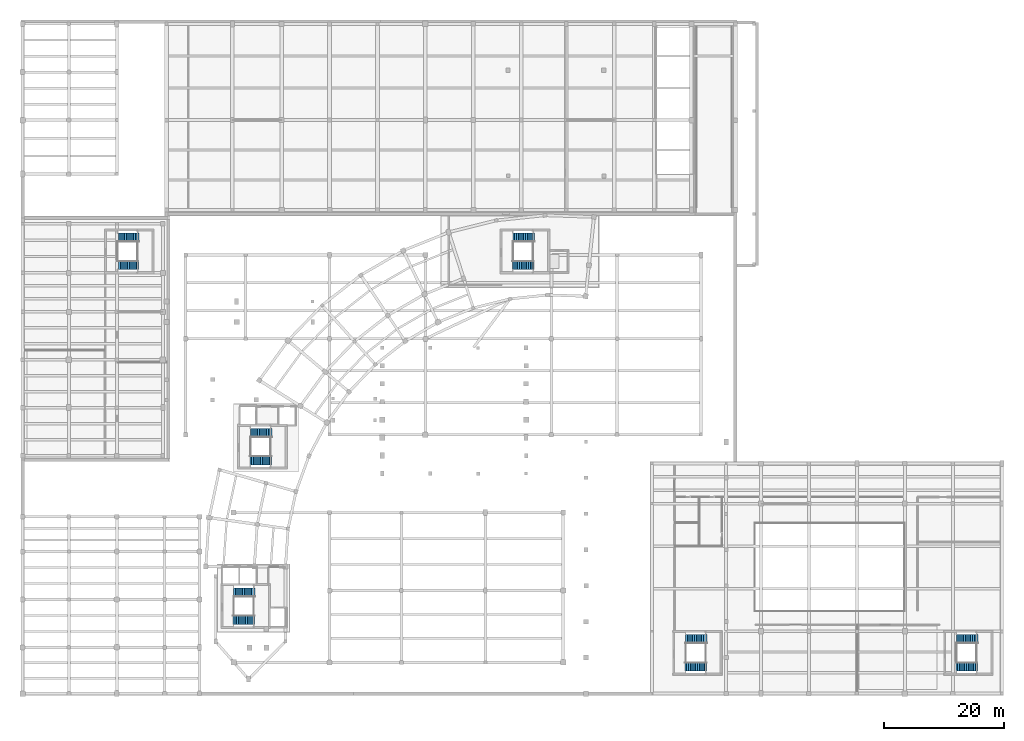
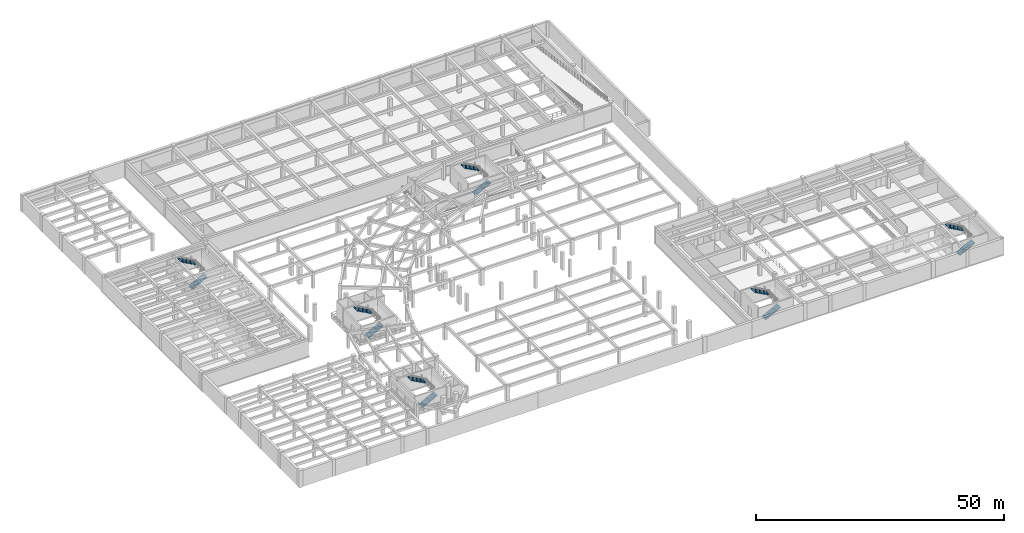
# One storey, part 28 of 35: 12 stair flights, 6 elements without a shape of their own.
"""IFC4 building model written with IfcOpenShell, lengths in metres."""

from ifc_helpers import new_model, si_unit, direction, frame, origin, place, context, subcontext, project, spatial, polyline, outline, extrude, material, type_object, element, aggregate, save


model = new_model("IFC4")

# Units and contexts
model_context = context("Model", 3, precision=1e-05, world=origin(), true_north=direction((0.0, 1.0)))
body_context = subcontext(model_context, "Body", "Model", "MODEL_VIEW")
ifc_project = project(units=[si_unit("LENGTHUNIT", "METRE"), si_unit("AREAUNIT", "SQUARE_METRE"), si_unit("VOLUMEUNIT", "CUBIC_METRE"), si_unit("PLANEANGLEUNIT", "RADIAN"), si_unit("MASSUNIT", "GRAM", prefix="KILO"), si_unit("THERMODYNAMICTEMPERATUREUNIT", "KELVIN"), si_unit("POWERUNIT", "WATT")], contexts=[model_context])

# Site, building, storey
site_placement = place(None, origin())
site = spatial("IfcSite", under=ifc_project, at=site_placement, CompositionType="ELEMENT")
building_placement = place(site_placement, origin())
building = spatial("IfcBuilding", under=site, at=building_placement, Name="Solvatero Civic Police Headquarters", CompositionType="ELEMENT")
storey_placement = place(building_placement, frame((0.0, 0.0, -4.199951171875)))
storey = spatial("IfcBuildingStorey", under=building, at=storey_placement, Name="B01", CompositionType="ELEMENT", Elevation=-4.199951171875)

# Stair, stair flights
ifc_material = material(Name="Precast concrete C40/50", Category="concrete")
stair_type_1 = type_object("IfcStairType", Name="STR-C145-420", PredefinedType="HALF_TURN_STAIR", material=ifc_material)
stair_1_placement = place(storey_placement, origin())
stair_1 = element("IfcStair", 1, at=stair_1_placement, inside=storey, type_object=stair_type_1, Name="Protected Exit Stair ST-C3 (B01 to L00)", PredefinedType="HALF_TURN_STAIR")
stair_flight_type_1 = type_object("IfcStairFlightType", Name="SFL-STR-C145-420", PredefinedType="STRAIGHT", material=ifc_material)
stair_flight_1_placement = place(storey_placement, frame((86.5, 76.27490234375, 0.0), z_axis=(0.0, 0.0, 1.0), x_axis=(1.0, 0.0, 0.0)))
stair_flight_1 = element("IfcStairFlight", 2, at=stair_flight_1_placement, type_object=stair_flight_type_1, Name="ST-C3 B01 Flight 1", NumberOfRisers=13, NumberOfTreads=12, PredefinedType="STRAIGHT", RiserHeight=0.161538, TreadLength=0.3, context=body_context, shape_type="SweptSolid", body=[
    extrude(outline(polyline([(0.0, 0.0), (0.0, 0.16162109375), (0.300048828125, 0.16162109375), (0.300048828125, 0.322998046875), (0.60009765625, 0.322998046875), (0.60009765625, 0.484619140625), (0.89990234375, 0.484619140625), (0.89990234375, 0.646240234375), (1.199951171875, 0.646240234375), (1.199951171875, 0.8076171875), (1.5, 0.8076171875), (1.5, 0.96923828125), (1.800048828125, 0.96923828125), (1.800048828125, 1.130859375), (2.10009765625, 1.130859375), (2.10009765625, 1.292236328125), (2.39990234375, 1.292236328125), (2.39990234375, 1.453857421875), (2.699951171875, 1.453857421875), (2.699951171875, 1.615478515625), (3.0, 1.615478515625), (3.0, 1.77685546875), (3.300048828125, 1.77685546875), (3.300048828125, 1.9384765625), (3.60009765625, 1.9384765625), (3.60009765625, 2.10009765625), (3.60009765625, 1.7568359375), (0.33740234375, 0.0), (0.0, 0.0)])), frame((0.0, 0.72509765625, 0.0), z_axis=(0.0, -1.0, 0.0), x_axis=(1.0, 0.0, 0.0)), (0.0, 0.0, 1.0), 1.449951171875),
])
stair_flight_2_placement = place(storey_placement, frame((90.199951171875, 80.925048828125, 2.099853515625), z_axis=(0.0, 0.0, 1.0), x_axis=(-1.0, 0.0, 0.0)))
stair_flight_2 = element("IfcStairFlight", 3, at=stair_flight_2_placement, type_object=stair_flight_type_1, Name="ST-C3 B01 Flight 2", NumberOfRisers=13, NumberOfTreads=12, PredefinedType="STRAIGHT", RiserHeight=0.161538, TreadLength=0.3, context=body_context, shape_type="SweptSolid", body=[
    extrude(outline(polyline([(0.0, 0.0), (0.0, 0.16162109375), (0.300048828125, 0.16162109375), (0.300048828125, 0.322998046875), (0.60009765625, 0.322998046875), (0.60009765625, 0.484619140625), (0.89990234375, 0.484619140625), (0.89990234375, 0.646240234375), (1.199951171875, 0.646240234375), (1.199951171875, 0.8076171875), (1.5, 0.8076171875), (1.5, 0.96923828125), (1.800048828125, 0.96923828125), (1.800048828125, 1.130859375), (2.10009765625, 1.130859375), (2.10009765625, 1.292236328125), (2.39990234375, 1.292236328125), (2.39990234375, 1.453857421875), (2.699951171875, 1.453857421875), (2.699951171875, 1.615478515625), (3.0, 1.615478515625), (3.0, 1.77685546875), (3.300048828125, 1.77685546875), (3.300048828125, 1.9384765625), (3.60009765625, 1.9384765625), (3.60009765625, 2.10009765625), (3.60009765625, 1.7568359375), (0.33740234375, 0.0), (0.0, 0.0)])), frame((0.0, 0.72509765625, 0.0), z_axis=(0.0, -1.0, 0.0), x_axis=(1.0, 0.0, 0.0)), (0.0, 0.0, 1.0), 1.449951171875),
])
aggregate(stair_1, [stair_flight_1, stair_flight_2])

stair_2_placement = place(storey_placement, origin())
stair_2 = element("IfcStair", 4, at=stair_2_placement, inside=storey, type_object=stair_type_1, Name="Protected Exit Stair ST-C4 (B01 to L00)", PredefinedType="HALF_TURN_STAIR")
stair_flight_3_placement = place(storey_placement, frame((20.5, 76.27490234375, 0.0), z_axis=(0.0, 0.0, 1.0), x_axis=(1.0, 0.0, 0.0)))
stair_flight_3 = element("IfcStairFlight", 5, at=stair_flight_3_placement, type_object=stair_flight_type_1, Name="ST-C4 B01 Flight 1", NumberOfRisers=13, NumberOfTreads=12, PredefinedType="STRAIGHT", RiserHeight=0.161538, TreadLength=0.3, context=body_context, shape_type="SweptSolid", body=[
    extrude(outline(polyline([(0.0, 0.0), (0.0, 0.16162109375), (0.300048828125, 0.16162109375), (0.300048828125, 0.322998046875), (0.60009765625, 0.322998046875), (0.60009765625, 0.484619140625), (0.89990234375, 0.484619140625), (0.89990234375, 0.646240234375), (1.199951171875, 0.646240234375), (1.199951171875, 0.8076171875), (1.5, 0.8076171875), (1.5, 0.96923828125), (1.800048828125, 0.96923828125), (1.800048828125, 1.130859375), (2.10009765625, 1.130859375), (2.10009765625, 1.292236328125), (2.39990234375, 1.292236328125), (2.39990234375, 1.453857421875), (2.699951171875, 1.453857421875), (2.699951171875, 1.615478515625), (3.0, 1.615478515625), (3.0, 1.77685546875), (3.300048828125, 1.77685546875), (3.300048828125, 1.9384765625), (3.60009765625, 1.9384765625), (3.60009765625, 2.10009765625), (3.60009765625, 1.7568359375), (0.33740234375, 0.0), (0.0, 0.0)])), frame((0.0, 0.72509765625, 0.0), z_axis=(0.0, -1.0, 0.0), x_axis=(1.0, 0.0, 0.0)), (0.0, 0.0, 1.0), 1.449951171875),
])
stair_flight_4_placement = place(storey_placement, frame((24.199951171875, 80.925048828125, 2.099853515625), z_axis=(0.0, 0.0, 1.0), x_axis=(-1.0, 0.0, 0.0)))
stair_flight_4 = element("IfcStairFlight", 6, at=stair_flight_4_placement, type_object=stair_flight_type_1, Name="ST-C4 B01 Flight 2", NumberOfRisers=13, NumberOfTreads=12, PredefinedType="STRAIGHT", RiserHeight=0.161538, TreadLength=0.3, context=body_context, shape_type="SweptSolid", body=[
    extrude(outline(polyline([(0.0, 0.0), (0.0, 0.16162109375), (0.300048828125, 0.16162109375), (0.300048828125, 0.322998046875), (0.60009765625, 0.322998046875), (0.60009765625, 0.484619140625), (0.89990234375, 0.484619140625), (0.89990234375, 0.646240234375), (1.199951171875, 0.646240234375), (1.199951171875, 0.8076171875), (1.5, 0.8076171875), (1.5, 0.96923828125), (1.800048828125, 0.96923828125), (1.800048828125, 1.130859375), (2.10009765625, 1.130859375), (2.10009765625, 1.292236328125), (2.39990234375, 1.292236328125), (2.39990234375, 1.453857421875), (2.699951171875, 1.453857421875), (2.699951171875, 1.615478515625), (3.0, 1.615478515625), (3.0, 1.77685546875), (3.300048828125, 1.77685546875), (3.300048828125, 1.9384765625), (3.60009765625, 1.9384765625), (3.60009765625, 2.10009765625), (3.60009765625, 1.7568359375), (0.33740234375, 0.0), (0.0, 0.0)])), frame((0.0, 0.72509765625, 0.0), z_axis=(0.0, -1.0, 0.0), x_axis=(1.0, 0.0, 0.0)), (0.0, 0.0, 1.0), 1.449951171875),
])
aggregate(stair_2, [stair_flight_3, stair_flight_4])

stair_3_placement = place(storey_placement, origin())
stair_3 = element("IfcStair", 7, at=stair_3_placement, inside=storey, type_object=stair_type_1, Name="Protected Exit Stair ST-C5 (B01 to L00)", PredefinedType="HALF_TURN_STAIR")
stair_flight_5_placement = place(storey_placement, frame((115.300048828125, 9.27490234375, 0.0), z_axis=(0.0, 0.0, 1.0), x_axis=(1.0, 0.0, 0.0)))
stair_flight_5 = element("IfcStairFlight", 8, at=stair_flight_5_placement, type_object=stair_flight_type_1, Name="ST-C5 B01 Flight 1", NumberOfRisers=13, NumberOfTreads=12, PredefinedType="STRAIGHT", RiserHeight=0.161538, TreadLength=0.3, context=body_context, shape_type="SweptSolid", body=[
    extrude(outline(polyline([(0.0, 0.0), (0.0, 0.16162109375), (0.300048828125, 0.16162109375), (0.300048828125, 0.322998046875), (0.60009765625, 0.322998046875), (0.60009765625, 0.484619140625), (0.89990234375, 0.484619140625), (0.89990234375, 0.646240234375), (1.199951171875, 0.646240234375), (1.199951171875, 0.8076171875), (1.5, 0.8076171875), (1.5, 0.96923828125), (1.800048828125, 0.96923828125), (1.800048828125, 1.130859375), (2.10009765625, 1.130859375), (2.10009765625, 1.292236328125), (2.39990234375, 1.292236328125), (2.39990234375, 1.453857421875), (2.699951171875, 1.453857421875), (2.699951171875, 1.615478515625), (3.0, 1.615478515625), (3.0, 1.77685546875), (3.300048828125, 1.77685546875), (3.300048828125, 1.9384765625), (3.60009765625, 1.9384765625), (3.60009765625, 2.10009765625), (3.60009765625, 1.7568359375), (0.33740234375, 0.0), (0.0, 0.0)])), frame((0.0, 0.72509765625, 0.0), z_axis=(0.0, -1.0, 0.0), x_axis=(1.0, 0.0, 0.0)), (0.0, 0.0, 1.0), 1.449951171875),
])
stair_flight_6_placement = place(storey_placement, frame((119.0, 13.925048828125, 2.099853515625), z_axis=(0.0, 0.0, 1.0), x_axis=(-1.0, 0.0, 0.0)))
stair_flight_6 = element("IfcStairFlight", 9, at=stair_flight_6_placement, type_object=stair_flight_type_1, Name="ST-C5 B01 Flight 2", NumberOfRisers=13, NumberOfTreads=12, PredefinedType="STRAIGHT", RiserHeight=0.161538, TreadLength=0.3, context=body_context, shape_type="SweptSolid", body=[
    extrude(outline(polyline([(0.0, 0.0), (0.0, 0.16162109375), (0.300048828125, 0.16162109375), (0.300048828125, 0.322998046875), (0.60009765625, 0.322998046875), (0.60009765625, 0.484619140625), (0.89990234375, 0.484619140625), (0.89990234375, 0.646240234375), (1.199951171875, 0.646240234375), (1.199951171875, 0.8076171875), (1.5, 0.8076171875), (1.5, 0.96923828125), (1.800048828125, 0.96923828125), (1.800048828125, 1.130859375), (2.10009765625, 1.130859375), (2.10009765625, 1.292236328125), (2.39990234375, 1.292236328125), (2.39990234375, 1.453857421875), (2.699951171875, 1.453857421875), (2.699951171875, 1.615478515625), (3.0, 1.615478515625), (3.0, 1.77685546875), (3.300048828125, 1.77685546875), (3.300048828125, 1.9384765625), (3.60009765625, 1.9384765625), (3.60009765625, 2.10009765625), (3.60009765625, 1.7568359375), (0.33740234375, 0.0), (0.0, 0.0)])), frame((0.0, 0.72509765625, 0.0), z_axis=(0.0, -1.0, 0.0), x_axis=(1.0, 0.0, 0.0)), (0.0, 0.0, 1.0), 1.449951171875),
])
aggregate(stair_3, [stair_flight_5, stair_flight_6])

stair_4_placement = place(storey_placement, origin())
stair_4 = element("IfcStair", 10, at=stair_4_placement, inside=storey, type_object=stair_type_1, Name="Protected Exit Stair ST-C6 (B01 to L00)", PredefinedType="HALF_TURN_STAIR")
stair_flight_7_placement = place(storey_placement, frame((160.5, 9.27490234375, 0.0), z_axis=(0.0, 0.0, 1.0), x_axis=(1.0, 0.0, 0.0)))
stair_flight_7 = element("IfcStairFlight", 11, at=stair_flight_7_placement, type_object=stair_flight_type_1, Name="ST-C6 B01 Flight 1", NumberOfRisers=13, NumberOfTreads=12, PredefinedType="STRAIGHT", RiserHeight=0.161538, TreadLength=0.3, context=body_context, shape_type="SweptSolid", body=[
    extrude(outline(polyline([(0.0, 0.0), (0.0, 0.16162109375), (0.300048828125, 0.16162109375), (0.300048828125, 0.322998046875), (0.60009765625, 0.322998046875), (0.60009765625, 0.484619140625), (0.89990234375, 0.484619140625), (0.89990234375, 0.646240234375), (1.199951171875, 0.646240234375), (1.199951171875, 0.8076171875), (1.5, 0.8076171875), (1.5, 0.96923828125), (1.800048828125, 0.96923828125), (1.800048828125, 1.130859375), (2.10009765625, 1.130859375), (2.10009765625, 1.292236328125), (2.39990234375, 1.292236328125), (2.39990234375, 1.453857421875), (2.699951171875, 1.453857421875), (2.699951171875, 1.615478515625), (3.0, 1.615478515625), (3.0, 1.77685546875), (3.300048828125, 1.77685546875), (3.300048828125, 1.9384765625), (3.60009765625, 1.9384765625), (3.60009765625, 2.10009765625), (3.60009765625, 1.7568359375), (0.33740234375, 0.0), (0.0, 0.0)])), frame((0.0, 0.72509765625, 0.0), z_axis=(0.0, -1.0, 0.0), x_axis=(1.0, 0.0, 0.0)), (0.0, 0.0, 1.0), 1.449951171875),
])
stair_flight_8_placement = place(storey_placement, frame((164.199951171875, 13.925048828125, 2.099853515625), z_axis=(0.0, 0.0, 1.0), x_axis=(-1.0, 0.0, 0.0)))
stair_flight_8 = element("IfcStairFlight", 12, at=stair_flight_8_placement, type_object=stair_flight_type_1, Name="ST-C6 B01 Flight 2", NumberOfRisers=13, NumberOfTreads=12, PredefinedType="STRAIGHT", RiserHeight=0.161538, TreadLength=0.3, context=body_context, shape_type="SweptSolid", body=[
    extrude(outline(polyline([(0.0, 0.0), (0.0, 0.16162109375), (0.300048828125, 0.16162109375), (0.300048828125, 0.322998046875), (0.60009765625, 0.322998046875), (0.60009765625, 0.484619140625), (0.89990234375, 0.484619140625), (0.89990234375, 0.646240234375), (1.199951171875, 0.646240234375), (1.199951171875, 0.8076171875), (1.5, 0.8076171875), (1.5, 0.96923828125), (1.800048828125, 0.96923828125), (1.800048828125, 1.130859375), (2.10009765625, 1.130859375), (2.10009765625, 1.292236328125), (2.39990234375, 1.292236328125), (2.39990234375, 1.453857421875), (2.699951171875, 1.453857421875), (2.699951171875, 1.615478515625), (3.0, 1.615478515625), (3.0, 1.77685546875), (3.300048828125, 1.77685546875), (3.300048828125, 1.9384765625), (3.60009765625, 1.9384765625), (3.60009765625, 2.10009765625), (3.60009765625, 1.7568359375), (0.33740234375, 0.0), (0.0, 0.0)])), frame((0.0, 0.72509765625, 0.0), z_axis=(0.0, -1.0, 0.0), x_axis=(1.0, 0.0, 0.0)), (0.0, 0.0, 1.0), 1.449951171875),
])
aggregate(stair_4, [stair_flight_7, stair_flight_8])

stair_type_2 = type_object("IfcStairType", Name="STR-C150-420", PredefinedType="HALF_TURN_STAIR", material=ifc_material)
stair_5_placement = place(storey_placement, origin())
stair_5 = element("IfcStair", 13, at=stair_5_placement, inside=storey, type_object=stair_type_2, Name="Protected Exit Stair ST-C1 (B01 to L00)", PredefinedType="HALF_TURN_STAIR")
stair_flight_type_2 = type_object("IfcStairFlightType", Name="SFL-STR-C150-420", PredefinedType="STRAIGHT", material=ifc_material)
stair_flight_9_placement = place(storey_placement, frame((39.89990234375, 17.10009765625, 0.0), z_axis=(0.0, 0.0, 1.0), x_axis=(1.0, 0.0, 0.0)))
stair_flight_9 = element("IfcStairFlight", 14, at=stair_flight_9_placement, type_object=stair_flight_type_2, Name="ST-C1 B01 Flight 1", NumberOfRisers=13, NumberOfTreads=12, PredefinedType="STRAIGHT", RiserHeight=0.161538, TreadLength=0.3, context=body_context, shape_type="SweptSolid", body=[
    extrude(outline(polyline([(0.0, 0.0), (0.0, 0.16162109375), (0.300048828125, 0.16162109375), (0.300048828125, 0.322998046875), (0.60009765625, 0.322998046875), (0.60009765625, 0.484619140625), (0.89990234375, 0.484619140625), (0.89990234375, 0.646240234375), (1.199951171875, 0.646240234375), (1.199951171875, 0.8076171875), (1.5, 0.8076171875), (1.5, 0.96923828125), (1.800048828125, 0.96923828125), (1.800048828125, 1.130859375), (2.10009765625, 1.130859375), (2.10009765625, 1.292236328125), (2.39990234375, 1.292236328125), (2.39990234375, 1.453857421875), (2.699951171875, 1.453857421875), (2.699951171875, 1.615478515625), (3.0, 1.615478515625), (3.0, 1.77685546875), (3.300048828125, 1.77685546875), (3.300048828125, 1.9384765625), (3.60009765625, 1.9384765625), (3.60009765625, 2.10009765625), (3.60009765625, 1.7568359375), (0.33740234375, 0.0), (0.0, 0.0)])), frame((0.0, 0.75, 0.0), z_axis=(0.0, -1.0, 0.0), x_axis=(1.0, 0.0, 0.0)), (0.0, 0.0, 1.0), 1.5),
])
stair_flight_10_placement = place(storey_placement, frame((43.60009765625, 21.699951171875, 2.099853515625), z_axis=(0.0, 0.0, 1.0), x_axis=(-1.0, 0.0, 0.0)))
stair_flight_10 = element("IfcStairFlight", 15, at=stair_flight_10_placement, type_object=stair_flight_type_2, Name="ST-C1 B01 Flight 2", NumberOfRisers=13, NumberOfTreads=12, PredefinedType="STRAIGHT", RiserHeight=0.161538, TreadLength=0.3, context=body_context, shape_type="SweptSolid", body=[
    extrude(outline(polyline([(0.0, 0.0), (0.0, 0.16162109375), (0.300048828125, 0.16162109375), (0.300048828125, 0.322998046875), (0.60009765625, 0.322998046875), (0.60009765625, 0.484619140625), (0.89990234375, 0.484619140625), (0.89990234375, 0.646240234375), (1.199951171875, 0.646240234375), (1.199951171875, 0.8076171875), (1.5, 0.8076171875), (1.5, 0.96923828125), (1.800048828125, 0.96923828125), (1.800048828125, 1.130859375), (2.10009765625, 1.130859375), (2.10009765625, 1.292236328125), (2.39990234375, 1.292236328125), (2.39990234375, 1.453857421875), (2.699951171875, 1.453857421875), (2.699951171875, 1.615478515625), (3.0, 1.615478515625), (3.0, 1.77685546875), (3.300048828125, 1.77685546875), (3.300048828125, 1.9384765625), (3.60009765625, 1.9384765625), (3.60009765625, 2.10009765625), (3.60009765625, 1.7568359375), (0.33740234375, 0.0), (0.0, 0.0)])), frame((0.0, 0.75, 0.0), z_axis=(0.0, -1.0, 0.0), x_axis=(1.0, 0.0, 0.0)), (0.0, 0.0, 1.0), 1.5),
])
aggregate(stair_5, [stair_flight_9, stair_flight_10])

stair_6_placement = place(storey_placement, origin())
stair_6 = element("IfcStair", 16, at=stair_6_placement, inside=storey, type_object=stair_type_2, Name="Protected Exit Stair ST-C2 (B01 to L00)", PredefinedType="HALF_TURN_STAIR")
stair_flight_11_placement = place(storey_placement, frame((42.699951171875, 43.699951171875, 0.0), z_axis=(0.0, 0.0, 1.0), x_axis=(1.0, 0.0, 0.0)))
stair_flight_11 = element("IfcStairFlight", 17, at=stair_flight_11_placement, type_object=stair_flight_type_2, Name="ST-C2 B01 Flight 1", NumberOfRisers=13, NumberOfTreads=12, PredefinedType="STRAIGHT", RiserHeight=0.161538, TreadLength=0.3, context=body_context, shape_type="SweptSolid", body=[
    extrude(outline(polyline([(0.0, 0.0), (0.0, 0.16162109375), (0.300048828125, 0.16162109375), (0.300048828125, 0.322998046875), (0.60009765625, 0.322998046875), (0.60009765625, 0.484619140625), (0.89990234375, 0.484619140625), (0.89990234375, 0.646240234375), (1.199951171875, 0.646240234375), (1.199951171875, 0.8076171875), (1.5, 0.8076171875), (1.5, 0.96923828125), (1.800048828125, 0.96923828125), (1.800048828125, 1.130859375), (2.10009765625, 1.130859375), (2.10009765625, 1.292236328125), (2.39990234375, 1.292236328125), (2.39990234375, 1.453857421875), (2.699951171875, 1.453857421875), (2.699951171875, 1.615478515625), (3.0, 1.615478515625), (3.0, 1.77685546875), (3.300048828125, 1.77685546875), (3.300048828125, 1.9384765625), (3.60009765625, 1.9384765625), (3.60009765625, 2.10009765625), (3.60009765625, 1.7568359375), (0.33740234375, 0.0), (0.0, 0.0)])), frame((0.0, 0.75, 0.0), z_axis=(0.0, -1.0, 0.0), x_axis=(1.0, 0.0, 0.0)), (0.0, 0.0, 1.0), 1.5),
])
stair_flight_12_placement = place(storey_placement, frame((46.39990234375, 48.300048828125, 2.099853515625), z_axis=(0.0, 0.0, 1.0), x_axis=(-1.0, 0.0, 0.0)))
stair_flight_12 = element("IfcStairFlight", 18, at=stair_flight_12_placement, type_object=stair_flight_type_2, Name="ST-C2 B01 Flight 2", NumberOfRisers=13, NumberOfTreads=12, PredefinedType="STRAIGHT", RiserHeight=0.161538, TreadLength=0.3, context=body_context, shape_type="SweptSolid", body=[
    extrude(outline(polyline([(0.0, 0.0), (0.0, 0.16162109375), (0.300048828125, 0.16162109375), (0.300048828125, 0.322998046875), (0.60009765625, 0.322998046875), (0.60009765625, 0.484619140625), (0.89990234375, 0.484619140625), (0.89990234375, 0.646240234375), (1.199951171875, 0.646240234375), (1.199951171875, 0.8076171875), (1.5, 0.8076171875), (1.5, 0.96923828125), (1.800048828125, 0.96923828125), (1.800048828125, 1.130859375), (2.10009765625, 1.130859375), (2.10009765625, 1.292236328125), (2.39990234375, 1.292236328125), (2.39990234375, 1.453857421875), (2.699951171875, 1.453857421875), (2.699951171875, 1.615478515625), (3.0, 1.615478515625), (3.0, 1.77685546875), (3.300048828125, 1.77685546875), (3.300048828125, 1.9384765625), (3.60009765625, 1.9384765625), (3.60009765625, 2.10009765625), (3.60009765625, 1.7568359375), (0.33740234375, 0.0), (0.0, 0.0)])), frame((0.0, 0.75, 0.0), z_axis=(0.0, -1.0, 0.0), x_axis=(1.0, 0.0, 0.0)), (0.0, 0.0, 1.0), 1.5),
])
aggregate(stair_6, [stair_flight_11, stair_flight_12])

save(model, "model.ifc")
